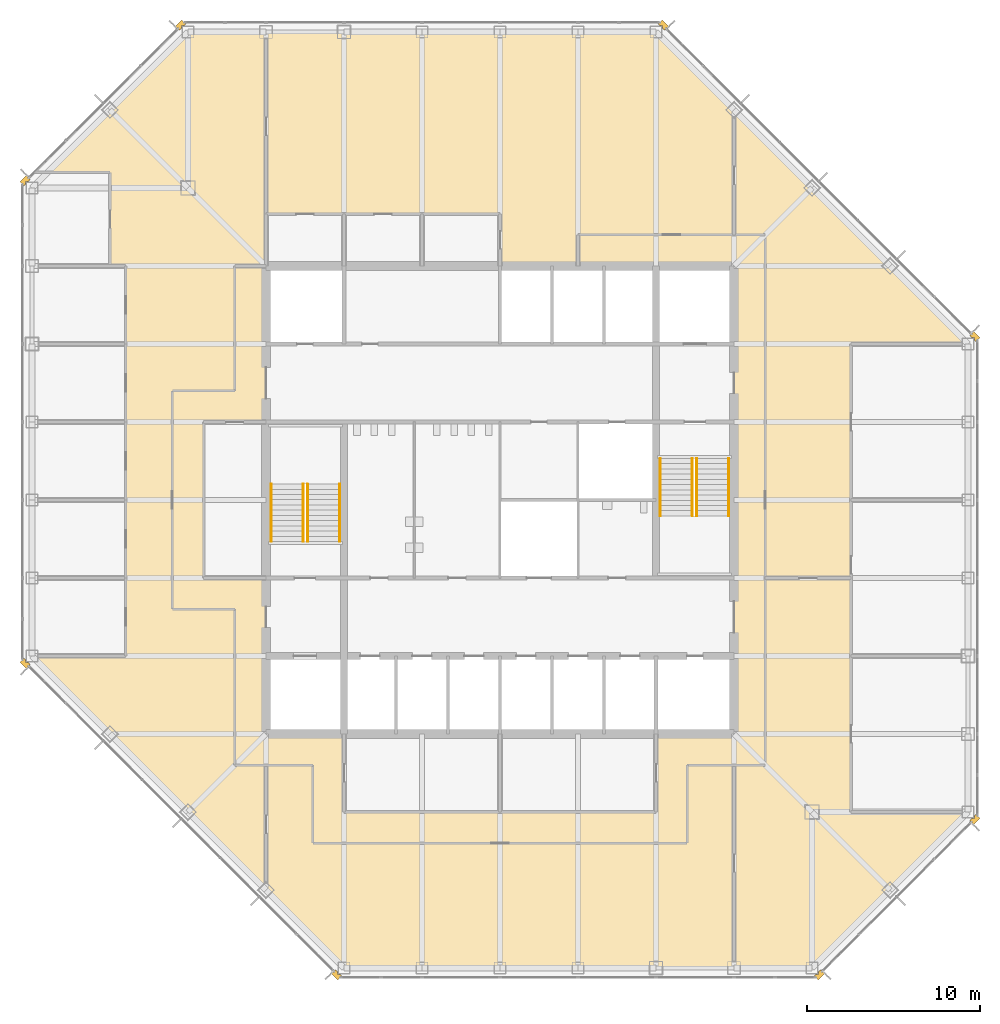
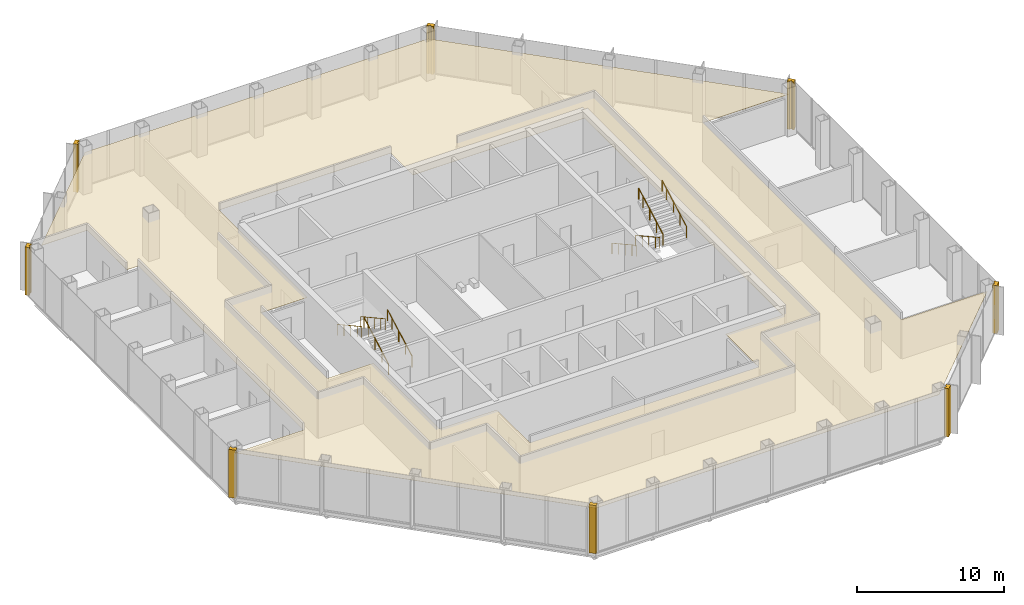
# One storey, part 12 of 13: 9 coverings, 8 railings.
"""IFC4 building model written with IfcOpenShell, lengths in metres."""

from ifc_helpers import new_model, si_unit, direction, frame, origin, origin_2d, place, context, subcontext, project, spatial, polyline, circle, outline, extrude, material, layer, layer_set, type_object, element, save


model = new_model("IFC4")

# Units and contexts
model_context = context("Model", 3, precision=1e-05, world=origin(), true_north=direction((0.0, 1.0)))
body_context = subcontext(model_context, "Body", "Model", "MODEL_VIEW")
ifc_project = project(units=[si_unit("LENGTHUNIT", "METRE"), si_unit("AREAUNIT", "SQUARE_METRE"), si_unit("VOLUMEUNIT", "CUBIC_METRE"), si_unit("PLANEANGLEUNIT", "RADIAN"), si_unit("MASSUNIT", "GRAM", prefix="KILO")], contexts=[model_context])

# Site, building, storey
site_placement = place(None, origin())
site = spatial("IfcSite", under=ifc_project, at=site_placement, CompositionType="ELEMENT")
building_placement = place(site_placement, origin())
building = spatial("IfcBuilding", under=site, at=building_placement, Name="Corais Broadcast Tower", CompositionType="ELEMENT")
storey_placement = place(building_placement, frame((0.0, 0.0, 155.60009765625)))
storey = spatial("IfcBuildingStorey", under=building, at=storey_placement, Name="L35", CompositionType="ELEMENT", Elevation=155.60009765625)

# Railings
ifc_material_1 = material(Name="Stainless steel handrail", Category="steel")
railing_type = type_object("IfcRailingType", Name="Handrail 920", PredefinedType="HANDRAIL", material=ifc_material_1)
for number, where, name in (
    (1, (17.75, 24.60009765625, 0.16650390625), "HR1 L35"),
    (2, (15.89990234375, 24.60009765625, 0.16650390625), "HR1 L35"),
):
    element("IfcRailing", number, at=place(storey_placement, frame(where)), inside=storey, type_object=railing_type, Name=name, PredefinedType="HANDRAIL", context=body_context, shape_type="SweptSolid", body=[
        extrude(circle(Radius=0.02392578125, at=origin_2d()), frame((0.0, 0.0, 0.89599609375), z_axis=(0.0, 0.875504475178, 0.483210010185), x_axis=(-1.0, 0.0, 0.0)), (0.0, 0.0, 1.0), 3.79443359375),
        extrude(circle(Radius=0.02099609375, at=origin_2d()), origin(), (0.0, 0.0, 1.0), 0.871826171875),
        extrude(circle(Radius=0.02099609375, at=origin_2d()), frame((0.0, 0.906005859375, 0.5)), (0.0, 0.0, 1.0), 0.871826171875),
        extrude(circle(Radius=0.02099609375, at=origin_2d()), frame((0.0, 1.81201171875, 1.0)), (0.0, 0.0, 1.0), 0.871826171875),
        extrude(circle(Radius=0.02099609375, at=origin_2d()), frame((0.0, 2.718017578125, 1.500244140625)), (0.0, 0.0, 1.0), 0.871826171875),
        extrude(circle(Radius=0.02099609375, at=origin_2d()), frame((0.0, 3.322021484375, 1.83349609375)), (0.0, 0.0, 1.0), 0.871826171875),
    ])
for number, where, name in (
    (3, (13.800048828125, 27.922119140625, 2.16650390625), "HR1 L35"),
    (4, (15.64990234375, 27.922119140625, 2.16650390625), "HR1 L35"),
    (5, (36.25, 29.39990234375, 0.16650390625), "HR1 L35"),
    (6, (38.10009765625, 29.39990234375, 0.16650390625), "HR1 L35"),
):
    element("IfcRailing", number, at=place(storey_placement, frame(where)), inside=storey, type_object=railing_type, Name=name, PredefinedType="HANDRAIL", context=body_context, shape_type="SweptSolid", body=[
        extrude(circle(Radius=0.02392578125, at=origin_2d()), frame((0.0, 0.0, 0.89599609375), z_axis=(0.0, -0.875504475178, 0.483210010185), x_axis=(1.0, 0.0, 0.0)), (0.0, 0.0, 1.0), 3.79443359375),
        extrude(circle(Radius=0.02099609375, at=origin_2d()), origin(), (0.0, 0.0, 1.0), 0.871826171875),
        extrude(circle(Radius=0.02099609375, at=origin_2d()), frame((0.0, -0.906005859375, 0.5)), (0.0, 0.0, 1.0), 0.871826171875),
        extrude(circle(Radius=0.02099609375, at=origin_2d()), frame((0.0, -1.81201171875, 1.0)), (0.0, 0.0, 1.0), 0.871826171875),
        extrude(circle(Radius=0.02099609375, at=origin_2d()), frame((0.0, -2.718017578125, 1.500244140625)), (0.0, 0.0, 1.0), 0.871826171875),
        extrude(circle(Radius=0.02099609375, at=origin_2d()), frame((0.0, -3.322021484375, 1.83349609375)), (0.0, 0.0, 1.0), 0.871826171875),
    ])
for number, where, name in (
    (7, (40.199951171875, 26.077880859375, 2.16650390625), "HR1 L35"),
    (8, (38.35009765625, 26.077880859375, 2.16650390625), "HR1 L35"),
):
    element("IfcRailing", number, at=place(storey_placement, frame(where)), inside=storey, type_object=railing_type, Name=name, PredefinedType="HANDRAIL", context=body_context, shape_type="SweptSolid", body=[
        extrude(circle(Radius=0.02392578125, at=origin_2d()), frame((0.0, 0.0, 0.89599609375), z_axis=(0.0, 0.875504475178, 0.483210010185), x_axis=(-1.0, 0.0, 0.0)), (0.0, 0.0, 1.0), 3.79443359375),
        extrude(circle(Radius=0.02099609375, at=origin_2d()), origin(), (0.0, 0.0, 1.0), 0.871826171875),
        extrude(circle(Radius=0.02099609375, at=origin_2d()), frame((0.0, 0.906005859375, 0.5)), (0.0, 0.0, 1.0), 0.871826171875),
        extrude(circle(Radius=0.02099609375, at=origin_2d()), frame((0.0, 1.81201171875, 1.0)), (0.0, 0.0, 1.0), 0.871826171875),
        extrude(circle(Radius=0.02099609375, at=origin_2d()), frame((0.0, 2.718017578125, 1.500244140625)), (0.0, 0.0, 1.0), 0.871826171875),
        extrude(circle(Radius=0.02099609375, at=origin_2d()), frame((0.0, 3.322021484375, 1.83349609375)), (0.0, 0.0, 1.0), 0.871826171875),
    ])

# Coverings
ifc_material_2 = material(Name="Granite stone cladding", Category="masonry")
ifc_layer_1 = layer(ifc_material_2, 0.324951171875)
ifc_layer_set_1 = layer_set([ifc_layer_1], Name="Granite stone cladding")
covering_type_1 = type_object("IfcCoveringType", Name="Stone corner pier cladding 500x325", PredefinedType="CLADDING", material=ifc_layer_set_1)
covering_1_placement = place(storey_placement, origin())
element("IfcCovering", 9, at=covering_1_placement, inside=storey, type_object=covering_type_1, Name="SP1 stone corner pier L35", PredefinedType="CLADDING", context=body_context, shape_type="SweptSolid", body=[
    extrude(outline(polyline([(17.860595703125, -0.461669921875), (17.77392578125, -0.375), (17.625, -0.375), (17.625, -0.22607421875), (17.507080078125, -0.108154296875), (17.277099609375, -0.337890625), (17.630859375, -0.69140625), (17.860595703125, -0.461669921875)])), origin(), (0.0, 0.0, 1.0), 4.0),
])
covering_2_placement = place(storey_placement, origin())
element("IfcCovering", 10, at=covering_2_placement, inside=storey, type_object=covering_type_1, Name="SP1 stone corner pier L35", PredefinedType="CLADDING", context=body_context, shape_type="SweptSolid", body=[
    extrude(outline(polyline([(-0.375, 17.77392578125), (-0.461669921875, 17.860595703125), (-0.69140625, 17.630859375), (-0.337890625, 17.277099609375), (-0.108154296875, 17.507080078125), (-0.22607421875, 17.625), (-0.375, 17.625), (-0.375, 17.77392578125)])), origin(), (0.0, 0.0, 1.0), 4.0),
])
covering_3_placement = place(storey_placement, origin())
element("IfcCovering", 11, at=covering_3_placement, inside=storey, type_object=covering_type_1, Name="SP1 stone corner pier L35", PredefinedType="CLADDING", context=body_context, shape_type="SweptSolid", body=[
    extrude(outline(polyline([(-0.461669921875, 45.139404296875), (-0.375, 45.22607421875), (-0.375, 45.375), (-0.22607421875, 45.375), (-0.108154296875, 45.492919921875), (-0.337890625, 45.722900390625), (-0.69140625, 45.369140625), (-0.461669921875, 45.139404296875)])), origin(), (0.0, 0.0, 1.0), 4.0),
])
covering_4_placement = place(storey_placement, origin())
element("IfcCovering", 12, at=covering_4_placement, inside=storey, type_object=covering_type_1, Name="SP1 stone corner pier L35", PredefinedType="CLADDING", context=body_context, shape_type="SweptSolid", body=[
    extrude(outline(polyline([(8.77392578125, 54.375), (8.860595703125, 54.461669921875), (8.630859375, 54.69140625), (8.277099609375, 54.337890625), (8.507080078125, 54.108154296875), (8.625, 54.22607421875), (8.625, 54.375), (8.77392578125, 54.375)])), origin(), (0.0, 0.0, 1.0), 4.0),
])
covering_5_placement = place(storey_placement, origin())
element("IfcCovering", 13, at=covering_5_placement, inside=storey, type_object=covering_type_1, Name="SP1 stone corner pier L35", PredefinedType="CLADDING", context=body_context, shape_type="SweptSolid", body=[
    extrude(outline(polyline([(36.139404296875, 54.461669921875), (36.22607421875, 54.375), (36.375, 54.375), (36.375, 54.22607421875), (36.492919921875, 54.108154296875), (36.722900390625, 54.337890625), (36.369140625, 54.69140625), (36.139404296875, 54.461669921875)])), origin(), (0.0, 0.0, 1.0), 4.0),
])
covering_6_placement = place(storey_placement, origin())
element("IfcCovering", 14, at=covering_6_placement, inside=storey, type_object=covering_type_1, Name="SP1 stone corner pier L35", PredefinedType="CLADDING", context=body_context, shape_type="SweptSolid", body=[
    extrude(outline(polyline([(54.375, 36.22607421875), (54.461669921875, 36.139404296875), (54.69140625, 36.369140625), (54.337890625, 36.722900390625), (54.108154296875, 36.492919921875), (54.22607421875, 36.375), (54.375, 36.375), (54.375, 36.22607421875)])), origin(), (0.0, 0.0, 1.0), 4.0),
])
covering_7_placement = place(storey_placement, origin())
element("IfcCovering", 15, at=covering_7_placement, inside=storey, type_object=covering_type_1, Name="SP1 stone corner pier L35", PredefinedType="CLADDING", context=body_context, shape_type="SweptSolid", body=[
    extrude(outline(polyline([(54.461669921875, 8.860595703125), (54.375, 8.77392578125), (54.375, 8.625), (54.22607421875, 8.625), (54.108154296875, 8.507080078125), (54.337890625, 8.277099609375), (54.69140625, 8.630859375), (54.461669921875, 8.860595703125)])), origin(), (0.0, 0.0, 1.0), 4.0),
])
covering_8_placement = place(storey_placement, origin())
element("IfcCovering", 16, at=covering_8_placement, inside=storey, type_object=covering_type_1, Name="SP1 stone corner pier L35", PredefinedType="CLADDING", context=body_context, shape_type="SweptSolid", body=[
    extrude(outline(polyline([(45.22607421875, -0.375), (45.139404296875, -0.461669921875), (45.369140625, -0.69140625), (45.722900390625, -0.337890625), (45.492919921875, -0.108154296875), (45.375, -0.22607421875), (45.375, -0.375), (45.22607421875, -0.375)])), origin(), (0.0, 0.0, 1.0), 4.0),
])
ifc_material_3 = material(Name="Mineral fibre ceiling tile", Category="mineral")
ifc_layer_2 = layer(ifc_material_3, 0.02001953125)
ifc_layer_set_2 = layer_set([ifc_layer_2], Name="Mineral fibre ceiling tile")
covering_type_2 = type_object("IfcCoveringType", Name="Suspended ceiling", PredefinedType="CEILING", material=ifc_layer_set_2)
covering_9_placement = place(storey_placement, frame((0.0, 0.0, 3.219970703125)))
element("IfcCovering", 17, at=covering_9_placement, inside=storey, type_object=covering_type_2, Name="CE1 ceiling L35", PredefinedType="CEILING", context=body_context, shape_type="SweptSolid", body=[
    extrude(outline(polyline([(47.25, 9.0), (54.0, 9.0), (45.0, 0.0), (18.0, 0.0), (13.501708984375, 4.498291015625), (13.50048828125, 4.49951171875), (13.499755859375, 4.500244140625), (0.0, 18.0), (5.39990234375, 18.0), (5.39990234375, 40.5), (4.5, 40.5), (4.5, 45.89990234375), (0.89990234375, 45.89990234375), (9.0, 54.0), (36.0, 54.0), (54.0, 36.0), (47.25, 36.0), (47.25, 9.0)]), holes=[polyline([(13.5, 31.5), (9.89990234375, 31.5), (9.89990234375, 22.5), (13.5, 22.5), (13.5, 13.5), (18.0, 13.5), (18.0, 9.0), (36.0, 9.0), (36.0, 13.5), (40.5, 13.5), (40.5, 40.5), (27.0, 40.5), (27.0, 43.5), (13.5, 43.5), (13.5, 31.5)])]), origin(), (0.0, 0.0, 1.0), 0.02001953125),
])

save(model, "model.ifc")
